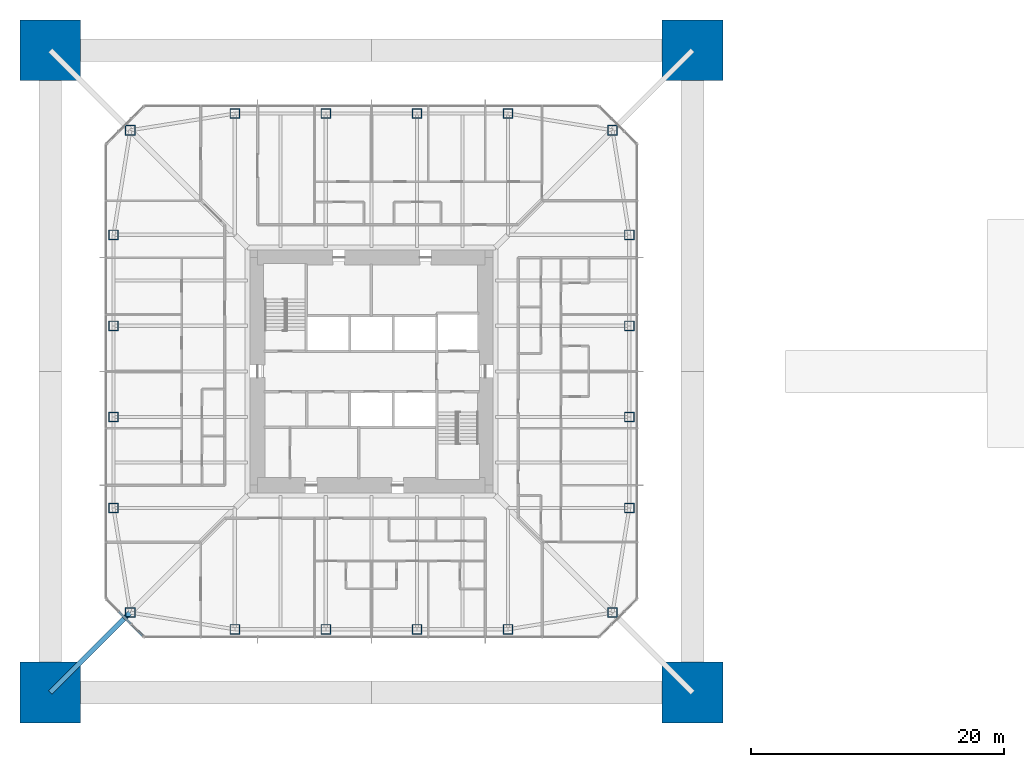
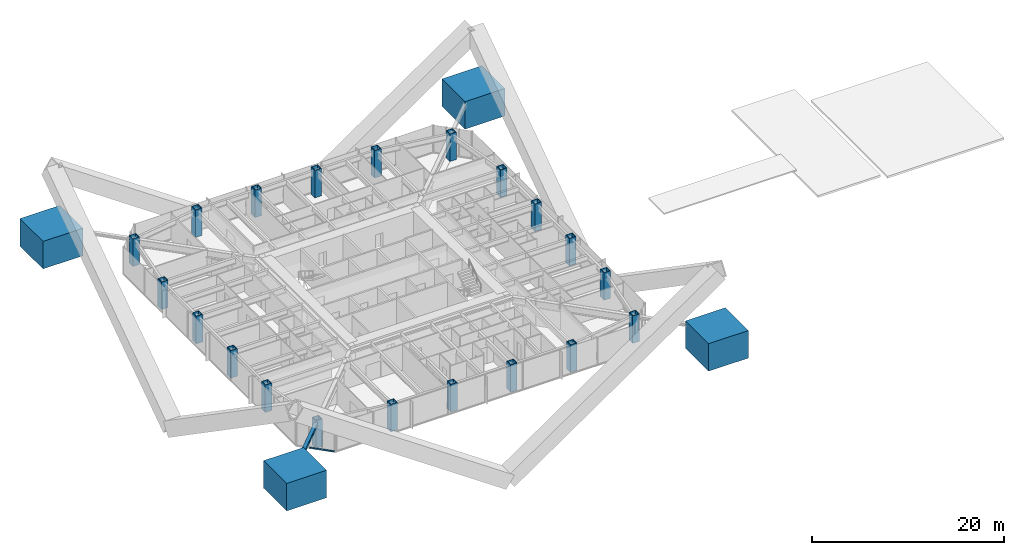
# One storey, part 1 of 17: 24 columns, 3 members, 1 element without a shape of its own.
"""IFC4 building model written with IfcOpenShell, lengths in metres."""

from ifc_helpers import new_model, si_unit, direction, frame, origin, origin_2d, place, context, subcontext, project, spatial, rectangle, hollow_rectangle, i_section, extrude, material, material_profile, profile_set, type_object, element, aggregate, save


model = new_model("IFC4")

# Units and contexts
model_context = context("Model", 3, precision=1e-05, world=origin(), true_north=direction((0.0, 1.0)))
body_context = subcontext(model_context, "Body", "Model", "MODEL_VIEW")
ifc_project = project(units=[si_unit("LENGTHUNIT", "METRE"), si_unit("AREAUNIT", "SQUARE_METRE"), si_unit("VOLUMEUNIT", "CUBIC_METRE"), si_unit("PLANEANGLEUNIT", "RADIAN"), si_unit("MASSUNIT", "GRAM", prefix="KILO")], contexts=[model_context])

# Site, building, storey
site_placement = place(None, origin())
site = spatial("IfcSite", under=ifc_project, at=site_placement, CompositionType="ELEMENT")
building_placement = place(site_placement, origin())
building = spatial("IfcBuilding", under=site, at=building_placement, Name="Iwan Alto Co-Living Towers", CompositionType="ELEMENT")
storey_placement = place(building_placement, frame((0.0, 0.0, 133.0)))
storey = spatial("IfcBuildingStorey", under=building, at=storey_placement, Name="L36", CompositionType="ELEMENT", Elevation=133.0)

# Columns
ifc_material_1 = material(Name="Concrete f'c 70 MPa", Category="concrete")
ifc_material_profile_1 = material_profile(ifc_material_1, rectangle(XDim=4.800048828125, YDim=4.800048828125, at=origin_2d()), Name="RC 4800X4800")
ifc_profile_set_1 = profile_set([ifc_material_profile_1], Name="Concrete f'c 70 MPa")
column_type_1 = type_object("IfcColumnType", Name="T1 MEGA COLUMN RC 4800X4800", PredefinedType="COLUMN", material=ifc_profile_set_1)
for number, where, z_axis, x_axis, name in (
    (1, (-25.39990234375, -25.39990234375, 0.0), (0.0, 0.0, 1.0), (1.0, 0.0, 0.0), "T1 mega column SW L36"),
    (2, (25.39990234375, -25.39990234375, 0.0), (0.0, 0.0, 1.0), (1.0, 0.0, 0.0), "T1 mega column SE L36"),
    (3, (25.39990234375, 25.39990234375, 0.0), (0.0, 0.0, 1.0), (1.0, 0.0, 0.0), "T1 mega column NE L36"),
    (4, (-25.39990234375, 25.39990234375, 0.0), (0.0, 0.0, 1.0), (1.0, 0.0, 0.0), "T1 mega column NW L36"),
):
    element("IfcColumn", number, at=place(storey_placement, frame(where, z_axis=z_axis, x_axis=x_axis)), inside=storey, type_object=column_type_1, Name=name, PredefinedType="COLUMN", context=body_context, shape_type="SweptSolid", body=[
        extrude(rectangle(XDim=4.800048828125, YDim=4.800048828125, at=origin_2d()), origin(), (0.0, 0.0, 1.0), 3.5),
        extrude(i_section(OverallWidth=0.4775390625, OverallDepth=0.599365234375, WebThickness=0.10009765625, FlangeThickness=0.139892578125, at=origin_2d()), origin(), (0.0, 0.0, 1.0), 3.5),
    ])
ifc_material_2 = material(Name="Steel ASTM A572 Gr 50", Category="steel")
ifc_material_profile_2 = material_profile(ifc_material_2, hollow_rectangle(XDim=0.800048828125, YDim=0.800048828125, WallThickness=0.070068359375, at=origin_2d()), Name="BOX 800X800X70")
ifc_profile_set_2 = profile_set([ifc_material_profile_2], Name="Steel ASTM A572 Gr 50")
column_type_2 = type_object("IfcColumnType", Name="T1 RING COLUMN BOX 800X800X70", PredefinedType="COLUMN", material=ifc_profile_set_2)
for number, where, z_axis, x_axis, name in (
    (5, (-19.07568359375, -19.07568359375, 0.0), (0.0, 0.0, 1.0), (1.0, 0.0, 0.0), "T1 ring column CSW L36"),
    (6, (-10.800048828125, -20.39990234375, 0.0), (0.0, 0.0, 1.0), (1.0, 0.0, 0.0), "T1 ring column S1 L36"),
    (7, (-3.60009765625, -20.39990234375, 0.0), (0.0, 0.0, 1.0), (1.0, 0.0, 0.0), "T1 ring column S2 L36"),
    (8, (3.60009765625, -20.39990234375, 0.0), (0.0, 0.0, 1.0), (1.0, 0.0, 0.0), "T1 ring column S3 L36"),
    (9, (10.800048828125, -20.39990234375, 0.0), (0.0, 0.0, 1.0), (1.0, 0.0, 0.0), "T1 ring column S4 L36"),
    (10, (19.07568359375, -19.07568359375, 0.0), (0.0, 0.0, 1.0), (1.0, 0.0, 0.0), "T1 ring column CSE L36"),
    (11, (20.39990234375, -10.800048828125, 0.0), (0.0, 0.0, 1.0), (1.0, 0.0, 0.0), "T1 ring column E1 L36"),
    (12, (20.39990234375, -3.60009765625, 0.0), (0.0, 0.0, 1.0), (1.0, 0.0, 0.0), "T1 ring column E2 L36"),
    (13, (20.39990234375, 3.60009765625, 0.0), (0.0, 0.0, 1.0), (1.0, 0.0, 0.0), "T1 ring column E3 L36"),
    (14, (20.39990234375, 10.800048828125, 0.0), (0.0, 0.0, 1.0), (1.0, 0.0, 0.0), "T1 ring column E4 L36"),
    (15, (19.07568359375, 19.07568359375, 0.0), (0.0, 0.0, 1.0), (1.0, 0.0, 0.0), "T1 ring column CNE L36"),
    (16, (10.800048828125, 20.39990234375, 0.0), (0.0, 0.0, 1.0), (1.0, 0.0, 0.0), "T1 ring column N1 L36"),
    (17, (3.60009765625, 20.39990234375, 0.0), (0.0, 0.0, 1.0), (1.0, 0.0, 0.0), "T1 ring column N2 L36"),
    (18, (-3.60009765625, 20.39990234375, 0.0), (0.0, 0.0, 1.0), (1.0, 0.0, 0.0), "T1 ring column N3 L36"),
    (19, (-10.800048828125, 20.39990234375, 0.0), (0.0, 0.0, 1.0), (1.0, 0.0, 0.0), "T1 ring column N4 L36"),
    (20, (-19.07568359375, 19.07568359375, 0.0), (0.0, 0.0, 1.0), (1.0, 0.0, 0.0), "T1 ring column CNW L36"),
    (21, (-20.39990234375, 10.800048828125, 0.0), (0.0, 0.0, 1.0), (1.0, 0.0, 0.0), "T1 ring column W1 L36"),
    (22, (-20.39990234375, 3.60009765625, 0.0), (0.0, 0.0, 1.0), (1.0, 0.0, 0.0), "T1 ring column W2 L36"),
    (23, (-20.39990234375, -3.60009765625, 0.0), (0.0, 0.0, 1.0), (1.0, 0.0, 0.0), "T1 ring column W3 L36"),
    (24, (-20.39990234375, -10.800048828125, 0.0), (0.0, 0.0, 1.0), (1.0, 0.0, 0.0), "T1 ring column W4 L36"),
):
    element("IfcColumn", number, at=place(storey_placement, frame(where, z_axis=z_axis, x_axis=x_axis)), inside=storey, type_object=column_type_2, Name=name, PredefinedType="COLUMN", context=body_context, shape_type="SweptSolid", body=[
        extrude(hollow_rectangle(XDim=0.800048828125, YDim=0.800048828125, WallThickness=0.070068359375, at=origin_2d()), origin(), (0.0, 0.0, 1.0), 3.5),
    ])

# Curtain wall, members
ifc_material_3 = material(Name="Bronze aluminium unitised frame", Category="aluminium")
curtain_wall_type = type_object("IfcCurtainWallType", Name="CURTAIN WALL CW-B", PredefinedType="NOTDEFINED", material=ifc_material_3)
curtain_wall_placement = place(storey_placement, origin())
curtain_wall = element("IfcCurtainWall", 25, at=curtain_wall_placement, inside=storey, type_object=curtain_wall_type, Name="T1 chamfer curtain wall SW L36", PredefinedType="NOTDEFINED")
ifc_material_4 = material(Name="Aluminium 6063-T6 bronze anodised", Category="aluminium")
ifc_material_profile_3 = material_profile(ifc_material_4, rectangle(XDim=0.199951171875, YDim=0.10009765625, at=origin_2d()), Name="AL 200X100")
ifc_profile_set_3 = profile_set([ifc_material_profile_3], Name="Aluminium 6063-T6 bronze anodised")
member_type_1 = type_object("IfcMemberType", Name="CW-B TRANSOM 200X100", PredefinedType="USERDEFINED", material=ifc_profile_set_3)
member_1_placement = place(storey_placement, frame((-19.9716796875, -19.0283203125, 0.050048828125), z_axis=(0.707106781187, -0.707106781187, 0.0), x_axis=(0.707106781187, 0.707106781187, 0.0)))
member_1 = element("IfcMember", 26, at=member_1_placement, type_object=member_type_1, Name="CW-B transom 2.1", ObjectType="TRANSOM", PredefinedType="USERDEFINED", context=body_context, shape_type="SweptSolid", body=[
    extrude(rectangle(XDim=0.199951171875, YDim=0.10009765625, at=origin_2d()), origin(), (0.0, 0.0, 1.0), 1.334228515625),
])
member_2_placement = place(storey_placement, frame((-18.9716796875, -20.0283203125, 0.050048828125), z_axis=(0.707106781187, -0.707106781187, 0.0), x_axis=(0.707106781187, 0.707106781187, 0.0)))
member_2 = element("IfcMember", 27, at=member_2_placement, type_object=member_type_1, Name="CW-B transom 3.1", ObjectType="TRANSOM", PredefinedType="USERDEFINED", context=body_context, shape_type="SweptSolid", body=[
    extrude(rectangle(XDim=0.199951171875, YDim=0.10009765625, at=origin_2d()), origin(), (0.0, 0.0, 1.0), 1.2939453125),
])
aggregate(curtain_wall, [member_1, member_2])

# Member
ifc_material_5 = material(Name="Steel ASTM A992 Gr 50", Category="steel")
ifc_material_profile_4 = material_profile(ifc_material_5, i_section(OverallWidth=0.393798828125, OverallDepth=0.3759765625, WebThickness=0.017333984375, FlangeThickness=0.027587890625, at=origin_2d()), Name="W14X145")
ifc_profile_set_4 = profile_set([ifc_material_profile_4], Name="Steel ASTM A992 Gr 50")
member_type_2 = type_object("IfcMemberType", Name="T1 MEGA COLUMN FLOOR TIE W14X145", PredefinedType="STRUT", material=ifc_profile_set_4)
member_3_placement = place(storey_placement, frame((-25.39990234375, -25.39990234375, 3.08203125), z_axis=(0.707106781187, 0.707106781187, 0.0), x_axis=(-0.707106781187, 0.707106781187, 0.0)))
element("IfcMember", 28, at=member_3_placement, inside=storey, type_object=member_type_2, Name="T1 mega column floor tie SW L37", PredefinedType="STRUT", context=body_context, shape_type="SweptSolid", body=[
    extrude(i_section(OverallWidth=0.393798828125, OverallDepth=0.3759765625, WebThickness=0.017333984375, FlangeThickness=0.027587890625, at=origin_2d()), origin(), (0.0, 0.0, 1.0), 8.94384765625),
])

save(model, "model.ifc")
